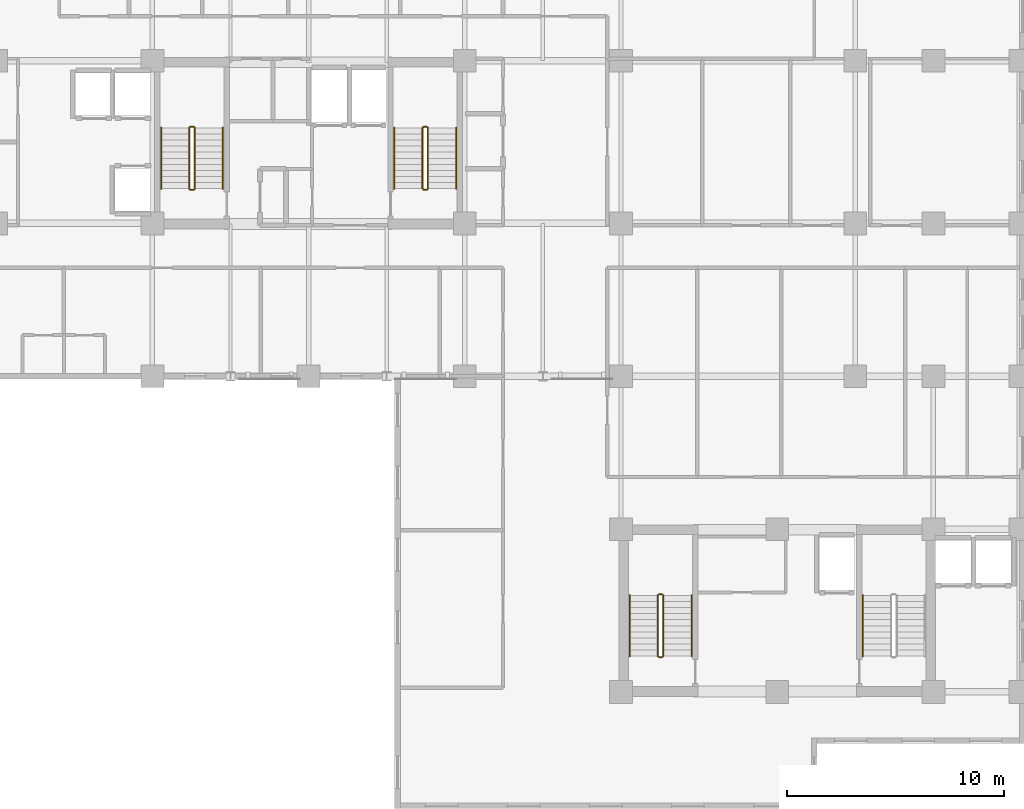
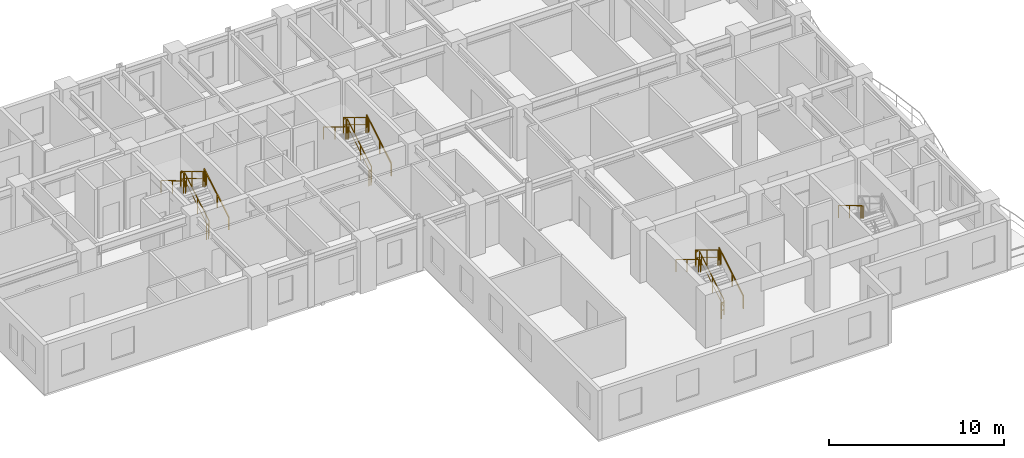
# One storey, part 11 of 13: 19 railings.
"""IFC4 building model written with IfcOpenShell, lengths in metres."""

import ifcopenshell
import ifcopenshell.guid

model = None  # the IFC model being written
_history = None  # IfcOwnerHistory: only IFC2X3 demands one
_inside = {}  # id of a spatial element -> (the spatial element, [elements in it])
_under = {}  # id of a project, library or spatial element -> (it, [spatial elements below it])
_declared = {}  # id of a project -> (the project, [libraries it declares])
_typed = {}  # id of a type object -> (the type object, [elements of that type])
_made_of = {}  # id of a material, layer set ... -> (it, [elements and type objects made of it])


def new_model(schema):
    """Start an empty IFC model of exactly this schema.

    Asked for "IFC4X3", IfcOpenShell would pick the latest addendum, in which some entities
    have other attributes; the version numbers below select the first issue.
    IFC2X3 requires an IfcOwnerHistory on every rooted entity: one is made here for all.
    """
    global model, _history
    if schema == "IFC4X3":
        model = ifcopenshell.file(schema_version=(4, 3, 0, 0))
    else:
        model = ifcopenshell.file(schema=schema)
    _inside.clear()
    _under.clear()
    _declared.clear()
    _typed.clear()
    _made_of.clear()
    _history = None
    if model.schema == "IFC2X3":
        org = make("IfcOrganization", Name="unknown")
        user = make(
            "IfcPersonAndOrganization",
            ThePerson=make("IfcPerson", FamilyName="unknown"),
            TheOrganization=org,
        )
        app = make(
            "IfcApplication",
            ApplicationDeveloper=org,
            Version="unknown",
            ApplicationFullName="unknown",
            ApplicationIdentifier="unknown",
        )
        _history = make(
            "IfcOwnerHistory",
            OwningUser=user,
            OwningApplication=app,
            ChangeAction="ADDED",
            CreationDate=0,
        )
    return model


def make(cls, **values):
    """One entity of the class cls with the attributes given. An attribute that is None is left unset."""
    return model.create_entity(
        cls, **{name: value for name, value in values.items() if value is not None}
    )


def rooted(cls, **values):
    """An entity with a GlobalId (a new one), such as an element, a storey or a relation."""
    return make(cls, GlobalId=ifcopenshell.guid.new(), OwnerHistory=_history, **values)


def si_unit(unit_type, name, prefix=None):
    """IfcSIUnit, for example si_unit("LENGTHUNIT", "METRE", prefix="MILLI")."""
    return make("IfcSIUnit", UnitType=unit_type, Prefix=prefix, Name=name)


def assignment(units):
    """IfcUnitAssignment: the units of a project."""
    return None if units is None else make("IfcUnitAssignment", Units=units)


def point(xyz):
    """IfcCartesianPoint."""
    return None if xyz is None else make("IfcCartesianPoint", Coordinates=xyz)


def direction(xyz):
    """IfcDirection."""
    return None if xyz is None else make("IfcDirection", DirectionRatios=xyz)


def frame(location, z_axis=None, x_axis=None):
    """IfcAxis2Placement3D, a coordinate frame: its origin and axes. An axis left out is left unset."""
    return make(
        "IfcAxis2Placement3D",
        Location=point(location),
        Axis=direction(z_axis),
        RefDirection=direction(x_axis),
    )


def frame_2d(location, x_axis=None):
    """IfcAxis2Placement2D, a coordinate frame in the plane: its origin and x axis."""
    return make(
        "IfcAxis2Placement2D", Location=point(location), RefDirection=direction(x_axis)
    )


def origin():
    """The frame at (0, 0, 0) with its axes left unset."""
    return frame((0.0, 0.0, 0.0))


def origin_2d():
    """The frame at (0, 0) in the plane with its x axis left unset."""
    return frame_2d((0.0, 0.0))


def place(relative_to, where):
    """IfcLocalPlacement: puts the frame where relative to a parent placement (None: the world)."""
    return make(
        "IfcLocalPlacement", PlacementRelTo=relative_to, RelativePlacement=where
    )


def context(
    kind, dimensions, precision=None, world=None, true_north=None, identifier=None
):
    """IfcGeometricRepresentationContext, for example the 3D "Model" context."""
    return make(
        "IfcGeometricRepresentationContext",
        ContextIdentifier=identifier,
        ContextType=kind,
        CoordinateSpaceDimension=dimensions,
        Precision=precision,
        WorldCoordinateSystem=world,
        TrueNorth=true_north,
    )


def subcontext(parent, identifier, kind, view, scale=None):
    """IfcGeometricRepresentationSubContext, for example "Body" below "Model"."""
    return make(
        "IfcGeometricRepresentationSubContext",
        ContextIdentifier=identifier,
        ContextType=kind,
        ParentContext=parent,
        TargetScale=scale,
        TargetView=view,
    )


def project(units=None, contexts=None):
    """IfcProject with its units and contexts."""
    return rooted(
        "IfcProject",
        Name="project",
        RepresentationContexts=contexts,
        UnitsInContext=assignment(units),
    )


def spatial(cls, under=None, at=None, **own):
    """A site, building, storey or space (cls), placed at a placement, below another one or the project."""
    s = rooted(cls, ObjectPlacement=at, **own)
    if under is not None:
        _under.setdefault(under.id(), (under, []))[1].append(s)
    return s


def profile(cls, at=None, kind="AREA", **sizes):
    """A parametric profile (cls). Its sizes go by their IFC names, for example OverallWidth=200.0."""
    return make(cls, ProfileType=kind, Position=at, **sizes)


def rectangle(**sizes):
    """IfcRectangleProfileDef."""
    return profile("IfcRectangleProfileDef", **sizes)


def extrude(swept, where, along, depth):
    """IfcExtrudedAreaSolid: the profile swept, set in the frame where, extruded along a direction by depth."""
    return make(
        "IfcExtrudedAreaSolid",
        SweptArea=swept,
        Position=where,
        ExtrudedDirection=direction(along),
        Depth=depth,
    )


def shape(context_of_items, identifier, shape_type, items):
    """IfcShapeRepresentation: the items that make up one representation, for example the "Body"."""
    return make(
        "IfcShapeRepresentation",
        ContextOfItems=context_of_items,
        RepresentationIdentifier=identifier,
        RepresentationType=shape_type,
        Items=items,
    )


def material(Name=None, Category=None):
    """IfcMaterial."""
    return make("IfcMaterial", Name=Name, Category=Category)


def made_of(thing, what):
    """Note that an element or type object is made of a material, layer set ...; save() writes the relation."""
    if what is not None:
        _made_of.setdefault(what.id(), (what, []))[1].append(thing)
    return thing


def type_object(cls, material=None, **own):
    """A type object (cls), such as IfcWallType, which elements share."""
    return made_of(rooted(cls, **own), material)


def element(
    cls,
    number,
    at=None,
    inside=None,
    cuts=None,
    type_object=None,
    material=None,
    context=None,
    identifier="Body",
    shape_type=None,
    held_by="IfcProductDefinitionShape",
    body=None,
    shapes=None,
    **own,
):
    """One element of the class cls, such as IfcWall. Its Tag is "e" and its number.

    at: its placement. inside: the storey or other place that contains it. cuts: it is an
    opening in that element (IfcRelVoidsElement). A single representation is given by context,
    identifier, shape_type and body (its items); several are given by shapes. held_by: the class
    of the entity that holds the representations. save() writes the other relations.
    """
    e = rooted(cls, Tag="e%d" % number, ObjectPlacement=at, **own)
    if body is not None:
        shapes = [shape(context, identifier, shape_type, body)]
    if shapes is not None:
        e.Representation = make(held_by, Representations=shapes)
    if inside is not None:
        _inside.setdefault(inside.id(), (inside, []))[1].append(e)
    if cuts is not None:
        rooted(
            "IfcRelVoidsElement", RelatingBuildingElement=cuts, RelatedOpeningElement=e
        )
    if type_object is not None:
        _typed.setdefault(type_object.id(), (type_object, []))[1].append(e)
    return made_of(e, material)


def aggregate(whole, parts):
    """IfcRelAggregates: a whole, such as a stair, and the parts it consists of."""
    return rooted("IfcRelAggregates", RelatingObject=whole, RelatedObjects=parts)


def save(model, path):
    """Write the relations noted so far, then the file.

    IfcRelAggregates (storeys below a building ...), IfcRelContainedInSpatialStructure (elements
    in a storey), IfcRelDefinesByType, IfcRelAssociatesMaterial and IfcRelDeclares: one each for
    every whole, place, type object, material and project.
    """
    for whole, parts in _under.values():
        aggregate(whole, parts)
    for where, things in _inside.values():
        rooted(
            "IfcRelContainedInSpatialStructure",
            RelatedElements=things,
            RelatingStructure=where,
        )
    for kind, things in _typed.values():
        rooted("IfcRelDefinesByType", RelatedObjects=things, RelatingType=kind)
    for what, things in _made_of.values():
        rooted("IfcRelAssociatesMaterial", RelatedObjects=things, RelatingMaterial=what)
    for by, libraries in _declared.values():
        rooted("IfcRelDeclares", RelatingContext=by, RelatedDefinitions=libraries)
    model.write(path)


model = new_model("IFC4")

# Units and contexts
model_context = context("Model", 3, precision=1e-05, world=origin(), true_north=direction((0.0, 1.0)))
body_context = subcontext(model_context, "Body", "Model", "MODEL_VIEW")
ifc_project = project(units=[si_unit("LENGTHUNIT", "METRE"), si_unit("AREAUNIT", "SQUARE_METRE"), si_unit("VOLUMEUNIT", "CUBIC_METRE"), si_unit("PLANEANGLEUNIT", "RADIAN"), si_unit("MASSUNIT", "GRAM", prefix="KILO")], contexts=[model_context])

# Site, building, storey
site_placement = place(None, origin())
site = spatial("IfcSite", under=ifc_project, at=site_placement, CompositionType="ELEMENT")
building_placement = place(site_placement, origin())
building = spatial("IfcBuilding", under=site, at=building_placement, Name="Kaliganga Portal Commons", CompositionType="ELEMENT")
storey_placement = place(building_placement, frame((0.0, 0.0, 166.10009765625)))
storey = spatial("IfcBuildingStorey", under=building, at=storey_placement, Name="L42", CompositionType="ELEMENT", Elevation=166.10009765625)

# Railings
ifc_material_1 = material(Name="Galvanized Painted Steel Balustrade", Category="steel")
railing_type_1 = type_object("IfcRailingType", Name="RLG-STAIR-GRD", PredefinedType="GUARDRAIL", material=ifc_material_1)
railing_1_placement = place(storey_placement, frame((16.35009765625, 30.25, 0.16796875)))
element("IfcRailing", 1, at=railing_1_placement, inside=storey, type_object=railing_type_1, Name="L42 ST-A1 stair guard 1", PredefinedType="GUARDRAIL", context=body_context, shape_type="SweptSolid", body=[
    extrude(rectangle(XDim=0.048095703125, YDim=0.048095703125, at=origin_2d()), frame((0.0, 0.0, 1.072021484375), z_axis=(0.0, 0.857242210791, 0.514913383045), x_axis=(-1.0, 0.0, 0.0)), (0.0, 0.0, 1.0), 3.266357421875),
    extrude(rectangle(XDim=0.028076171875, YDim=0.028076171875, at=origin_2d()), frame((0.0, 0.0, 0.572021484375), z_axis=(0.0, 0.857242210791, 0.514913383045), x_axis=(-1.0, 0.0, 0.0)), (0.0, 0.0, 1.0), 3.266357421875),
    extrude(rectangle(XDim=0.0419921875, YDim=0.0419921875, at=origin_2d()), origin(), (0.0, 0.0, 1.0), 1.052001953125),
    extrude(rectangle(XDim=0.0419921875, YDim=0.0419921875, at=origin_2d()), frame((0.0, 1.285888671875, 0.7724609375)), (0.0, 0.0, 1.0), 1.052001953125),
    extrude(rectangle(XDim=0.0419921875, YDim=0.0419921875, at=origin_2d()), frame((0.0, 2.57177734375, 1.544677734375)), (0.0, 0.0, 1.0), 1.052001953125),
    extrude(rectangle(XDim=0.0419921875, YDim=0.0419921875, at=origin_2d()), frame((0.0, 2.800048828125, 1.681884765625)), (0.0, 0.0, 1.0), 1.052001953125),
])
railing_2_placement = place(storey_placement, frame((16.300048828125, 33.10009765625, 1.849853515625)))
element("IfcRailing", 2, at=railing_2_placement, inside=storey, type_object=railing_type_1, Name="L42 ST-A1 stair guard 2", PredefinedType="GUARDRAIL", context=body_context, shape_type="SweptSolid", body=[
    extrude(rectangle(XDim=0.048095703125, YDim=0.048095703125, at=origin_2d()), frame((0.0, 0.0, 1.076171875), z_axis=(-1.0, 0.0, 0.0), x_axis=(0.0, -1.0, 0.0)), (0.0, 0.0, 1.0), 0.150146484375),
    extrude(rectangle(XDim=0.028076171875, YDim=0.028076171875, at=origin_2d()), frame((0.0, 0.0, 0.572021484375), z_axis=(-1.0, 0.0, 0.0), x_axis=(0.0, -1.0, 0.0)), (0.0, 0.0, 1.0), 0.150146484375),
    extrude(rectangle(XDim=0.0419921875, YDim=0.0419921875, at=origin_2d()), origin(), (0.0, 0.0, 1.0), 1.052001953125),
    extrude(rectangle(XDim=0.0419921875, YDim=0.0419921875, at=origin_2d()), frame((-0.150146484375, 0.0, 0.0)), (0.0, 0.0, 1.0), 1.052001953125),
])
railing_3_placement = place(storey_placement, frame((16.10009765625, 33.050048828125, 2.01806640625)))
element("IfcRailing", 3, at=railing_3_placement, inside=storey, type_object=railing_type_1, Name="L42 ST-A1 stair guard 3", PredefinedType="GUARDRAIL", context=body_context, shape_type="SweptSolid", body=[
    extrude(rectangle(XDim=0.048095703125, YDim=0.048095703125, at=origin_2d()), frame((0.0, 0.0, 1.072021484375), z_axis=(0.0, -0.857242210791, 0.514913383045), x_axis=(1.0, 0.0, 0.0)), (0.0, 0.0, 1.0), 3.266357421875),
    extrude(rectangle(XDim=0.028076171875, YDim=0.028076171875, at=origin_2d()), frame((0.0, 0.0, 0.572021484375), z_axis=(0.0, -0.857242210791, 0.514913383045), x_axis=(1.0, 0.0, 0.0)), (0.0, 0.0, 1.0), 3.266357421875),
    extrude(rectangle(XDim=0.0419921875, YDim=0.0419921875, at=origin_2d()), origin(), (0.0, 0.0, 1.0), 1.052001953125),
    extrude(rectangle(XDim=0.0419921875, YDim=0.0419921875, at=origin_2d()), frame((0.0, -1.285888671875, 0.7724609375)), (0.0, 0.0, 1.0), 1.052001953125),
    extrude(rectangle(XDim=0.0419921875, YDim=0.0419921875, at=origin_2d()), frame((0.0, -2.57177734375, 1.544677734375)), (0.0, 0.0, 1.0), 1.052001953125),
    extrude(rectangle(XDim=0.0419921875, YDim=0.0419921875, at=origin_2d()), frame((0.0, -2.800048828125, 1.681884765625)), (0.0, 0.0, 1.0), 1.052001953125),
])
railing_4_placement = place(storey_placement, frame((16.300048828125, 30.199951171875, 0.0)))
element("IfcRailing", 4, at=railing_4_placement, inside=storey, type_object=railing_type_1, Name="L42 ST-A1 stair guard 4", PredefinedType="GUARDRAIL", context=body_context, shape_type="SweptSolid", body=[
    extrude(rectangle(XDim=0.048095703125, YDim=0.048095703125, at=origin_2d()), frame((0.0, 0.0, 1.076171875), z_axis=(-1.0, 0.0, 0.0), x_axis=(0.0, -1.0, 0.0)), (0.0, 0.0, 1.0), 0.150146484375),
    extrude(rectangle(XDim=0.028076171875, YDim=0.028076171875, at=origin_2d()), frame((0.0, 0.0, 0.572021484375), z_axis=(-1.0, 0.0, 0.0), x_axis=(0.0, -1.0, 0.0)), (0.0, 0.0, 1.0), 0.150146484375),
    extrude(rectangle(XDim=0.0419921875, YDim=0.0419921875, at=origin_2d()), origin(), (0.0, 0.0, 1.0), 1.052001953125),
    extrude(rectangle(XDim=0.0419921875, YDim=0.0419921875, at=origin_2d()), frame((-0.150146484375, 0.0, 0.0)), (0.0, 0.0, 1.0), 1.052001953125),
])
railing_5_placement = place(storey_placement, frame((27.10009765625, 30.25, 0.16796875)))
element("IfcRailing", 5, at=railing_5_placement, inside=storey, type_object=railing_type_1, Name="L42 ST-A2 stair guard 1", PredefinedType="GUARDRAIL", context=body_context, shape_type="SweptSolid", body=[
    extrude(rectangle(XDim=0.048095703125, YDim=0.048095703125, at=origin_2d()), frame((0.0, 0.0, 1.072021484375), z_axis=(0.0, 0.857242210791, 0.514913383045), x_axis=(-1.0, 0.0, 0.0)), (0.0, 0.0, 1.0), 3.266357421875),
    extrude(rectangle(XDim=0.028076171875, YDim=0.028076171875, at=origin_2d()), frame((0.0, 0.0, 0.572021484375), z_axis=(0.0, 0.857242210791, 0.514913383045), x_axis=(-1.0, 0.0, 0.0)), (0.0, 0.0, 1.0), 3.266357421875),
    extrude(rectangle(XDim=0.0419921875, YDim=0.0419921875, at=origin_2d()), origin(), (0.0, 0.0, 1.0), 1.052001953125),
    extrude(rectangle(XDim=0.0419921875, YDim=0.0419921875, at=origin_2d()), frame((0.0, 1.285888671875, 0.7724609375)), (0.0, 0.0, 1.0), 1.052001953125),
    extrude(rectangle(XDim=0.0419921875, YDim=0.0419921875, at=origin_2d()), frame((0.0, 2.57177734375, 1.544677734375)), (0.0, 0.0, 1.0), 1.052001953125),
    extrude(rectangle(XDim=0.0419921875, YDim=0.0419921875, at=origin_2d()), frame((0.0, 2.800048828125, 1.681884765625)), (0.0, 0.0, 1.0), 1.052001953125),
])
railing_6_placement = place(storey_placement, frame((27.050048828125, 33.10009765625, 1.849853515625)))
element("IfcRailing", 6, at=railing_6_placement, inside=storey, type_object=railing_type_1, Name="L42 ST-A2 stair guard 2", PredefinedType="GUARDRAIL", context=body_context, shape_type="SweptSolid", body=[
    extrude(rectangle(XDim=0.048095703125, YDim=0.048095703125, at=origin_2d()), frame((0.0, 0.0, 1.076171875), z_axis=(-1.0, 0.0, 0.0), x_axis=(0.0, -1.0, 0.0)), (0.0, 0.0, 1.0), 0.150146484375),
    extrude(rectangle(XDim=0.028076171875, YDim=0.028076171875, at=origin_2d()), frame((0.0, 0.0, 0.572021484375), z_axis=(-1.0, 0.0, 0.0), x_axis=(0.0, -1.0, 0.0)), (0.0, 0.0, 1.0), 0.150146484375),
    extrude(rectangle(XDim=0.0419921875, YDim=0.0419921875, at=origin_2d()), origin(), (0.0, 0.0, 1.0), 1.052001953125),
    extrude(rectangle(XDim=0.0419921875, YDim=0.0419921875, at=origin_2d()), frame((-0.150146484375, 0.0, 0.0)), (0.0, 0.0, 1.0), 1.052001953125),
])
railing_7_placement = place(storey_placement, frame((26.85009765625, 33.050048828125, 2.01806640625)))
element("IfcRailing", 7, at=railing_7_placement, inside=storey, type_object=railing_type_1, Name="L42 ST-A2 stair guard 3", PredefinedType="GUARDRAIL", context=body_context, shape_type="SweptSolid", body=[
    extrude(rectangle(XDim=0.048095703125, YDim=0.048095703125, at=origin_2d()), frame((0.0, 0.0, 1.072021484375), z_axis=(0.0, -0.857242210791, 0.514913383045), x_axis=(1.0, 0.0, 0.0)), (0.0, 0.0, 1.0), 3.266357421875),
    extrude(rectangle(XDim=0.028076171875, YDim=0.028076171875, at=origin_2d()), frame((0.0, 0.0, 0.572021484375), z_axis=(0.0, -0.857242210791, 0.514913383045), x_axis=(1.0, 0.0, 0.0)), (0.0, 0.0, 1.0), 3.266357421875),
    extrude(rectangle(XDim=0.0419921875, YDim=0.0419921875, at=origin_2d()), origin(), (0.0, 0.0, 1.0), 1.052001953125),
    extrude(rectangle(XDim=0.0419921875, YDim=0.0419921875, at=origin_2d()), frame((0.0, -1.285888671875, 0.7724609375)), (0.0, 0.0, 1.0), 1.052001953125),
    extrude(rectangle(XDim=0.0419921875, YDim=0.0419921875, at=origin_2d()), frame((0.0, -2.57177734375, 1.544677734375)), (0.0, 0.0, 1.0), 1.052001953125),
    extrude(rectangle(XDim=0.0419921875, YDim=0.0419921875, at=origin_2d()), frame((0.0, -2.800048828125, 1.681884765625)), (0.0, 0.0, 1.0), 1.052001953125),
])
railing_8_placement = place(storey_placement, frame((27.050048828125, 30.199951171875, 0.0)))
element("IfcRailing", 8, at=railing_8_placement, inside=storey, type_object=railing_type_1, Name="L42 ST-A2 stair guard 4", PredefinedType="GUARDRAIL", context=body_context, shape_type="SweptSolid", body=[
    extrude(rectangle(XDim=0.048095703125, YDim=0.048095703125, at=origin_2d()), frame((0.0, 0.0, 1.076171875), z_axis=(-1.0, 0.0, 0.0), x_axis=(0.0, -1.0, 0.0)), (0.0, 0.0, 1.0), 0.150146484375),
    extrude(rectangle(XDim=0.028076171875, YDim=0.028076171875, at=origin_2d()), frame((0.0, 0.0, 0.572021484375), z_axis=(-1.0, 0.0, 0.0), x_axis=(0.0, -1.0, 0.0)), (0.0, 0.0, 1.0), 0.150146484375),
    extrude(rectangle(XDim=0.0419921875, YDim=0.0419921875, at=origin_2d()), origin(), (0.0, 0.0, 1.0), 1.052001953125),
    extrude(rectangle(XDim=0.0419921875, YDim=0.0419921875, at=origin_2d()), frame((-0.150146484375, 0.0, 0.0)), (0.0, 0.0, 1.0), 1.052001953125),
])
railing_9_placement = place(storey_placement, frame((37.949951171875, 8.699951171875, 0.16796875)))
element("IfcRailing", 9, at=railing_9_placement, inside=storey, type_object=railing_type_1, Name="L42 ST-B1 stair guard 1", PredefinedType="GUARDRAIL", context=body_context, shape_type="SweptSolid", body=[
    extrude(rectangle(XDim=0.048095703125, YDim=0.048095703125, at=origin_2d()), frame((0.0, 0.0, 1.072021484375), z_axis=(0.0, 0.857242210791, 0.514913383045), x_axis=(-1.0, 0.0, 0.0)), (0.0, 0.0, 1.0), 3.266357421875),
    extrude(rectangle(XDim=0.028076171875, YDim=0.028076171875, at=origin_2d()), frame((0.0, 0.0, 0.572021484375), z_axis=(0.0, 0.857242210791, 0.514913383045), x_axis=(-1.0, 0.0, 0.0)), (0.0, 0.0, 1.0), 3.266357421875),
    extrude(rectangle(XDim=0.0419921875, YDim=0.0419921875, at=origin_2d()), origin(), (0.0, 0.0, 1.0), 1.052001953125),
    extrude(rectangle(XDim=0.0419921875, YDim=0.0419921875, at=origin_2d()), frame((0.0, 1.285888671875, 0.7724609375)), (0.0, 0.0, 1.0), 1.052001953125),
    extrude(rectangle(XDim=0.0419921875, YDim=0.0419921875, at=origin_2d()), frame((0.0, 2.57177734375, 1.544677734375)), (0.0, 0.0, 1.0), 1.052001953125),
    extrude(rectangle(XDim=0.0419921875, YDim=0.0419921875, at=origin_2d()), frame((0.0, 2.800048828125, 1.681884765625)), (0.0, 0.0, 1.0), 1.052001953125),
])
railing_10_placement = place(storey_placement, frame((37.89990234375, 11.550048828125, 1.849853515625)))
element("IfcRailing", 10, at=railing_10_placement, inside=storey, type_object=railing_type_1, Name="L42 ST-B1 stair guard 2", PredefinedType="GUARDRAIL", context=body_context, shape_type="SweptSolid", body=[
    extrude(rectangle(XDim=0.048095703125, YDim=0.048095703125, at=origin_2d()), frame((0.0, 0.0, 1.076171875), z_axis=(-1.0, 0.0, 0.0), x_axis=(0.0, -1.0, 0.0)), (0.0, 0.0, 1.0), 0.14990234375),
    extrude(rectangle(XDim=0.028076171875, YDim=0.028076171875, at=origin_2d()), frame((0.0, 0.0, 0.572021484375), z_axis=(-1.0, 0.0, 0.0), x_axis=(0.0, -1.0, 0.0)), (0.0, 0.0, 1.0), 0.14990234375),
    extrude(rectangle(XDim=0.0419921875, YDim=0.0419921875, at=origin_2d()), frame((-0.14990234375, 0.0, 0.0)), (0.0, 0.0, 1.0), 1.052001953125),
])
railing_11_placement = place(storey_placement, frame((37.699951171875, 11.5, 2.01806640625)))
element("IfcRailing", 11, at=railing_11_placement, inside=storey, type_object=railing_type_1, Name="L42 ST-B1 stair guard 3", PredefinedType="GUARDRAIL", context=body_context, shape_type="SweptSolid", body=[
    extrude(rectangle(XDim=0.048095703125, YDim=0.048095703125, at=origin_2d()), frame((0.0, 0.0, 1.072021484375), z_axis=(0.0, -0.857242210791, 0.514913383045), x_axis=(1.0, 0.0, 0.0)), (0.0, 0.0, 1.0), 3.266357421875),
    extrude(rectangle(XDim=0.028076171875, YDim=0.028076171875, at=origin_2d()), frame((0.0, 0.0, 0.572021484375), z_axis=(0.0, -0.857242210791, 0.514913383045), x_axis=(1.0, 0.0, 0.0)), (0.0, 0.0, 1.0), 3.266357421875),
    extrude(rectangle(XDim=0.0419921875, YDim=0.0419921875, at=origin_2d()), origin(), (0.0, 0.0, 1.0), 1.052001953125),
    extrude(rectangle(XDim=0.0419921875, YDim=0.0419921875, at=origin_2d()), frame((0.0, -1.285888671875, 0.7724609375)), (0.0, 0.0, 1.0), 1.052001953125),
    extrude(rectangle(XDim=0.0419921875, YDim=0.0419921875, at=origin_2d()), frame((0.0, -2.57177734375, 1.544677734375)), (0.0, 0.0, 1.0), 1.052001953125),
    extrude(rectangle(XDim=0.0419921875, YDim=0.0419921875, at=origin_2d()), frame((0.0, -2.800048828125, 1.681884765625)), (0.0, 0.0, 1.0), 1.052001953125),
])
railing_12_placement = place(storey_placement, frame((37.89990234375, 8.64990234375, 0.0)))
element("IfcRailing", 12, at=railing_12_placement, inside=storey, type_object=railing_type_1, Name="L42 ST-B1 stair guard 4", PredefinedType="GUARDRAIL", context=body_context, shape_type="SweptSolid", body=[
    extrude(rectangle(XDim=0.048095703125, YDim=0.048095703125, at=origin_2d()), frame((0.0, 0.0, 1.076171875), z_axis=(-1.0, 0.0, 0.0), x_axis=(0.0, -1.0, 0.0)), (0.0, 0.0, 1.0), 0.14990234375),
    extrude(rectangle(XDim=0.028076171875, YDim=0.028076171875, at=origin_2d()), frame((0.0, 0.0, 0.572021484375), z_axis=(-1.0, 0.0, 0.0), x_axis=(0.0, -1.0, 0.0)), (0.0, 0.0, 1.0), 0.14990234375),
    extrude(rectangle(XDim=0.0419921875, YDim=0.0419921875, at=origin_2d()), frame((-0.14990234375, 0.0, 0.0)), (0.0, 0.0, 1.0), 1.052001953125),
])
ifc_material_2 = material(Name="Brushed Stainless Steel 316", Category="steel")
railing_type_2 = type_object("IfcRailingType", Name="RLG-STAIR-HR", PredefinedType="HANDRAIL", material=ifc_material_2)
railing_13_placement = place(storey_placement, frame((17.64990234375, 30.25, 0.16796875)))
element("IfcRailing", 13, at=railing_13_placement, inside=storey, type_object=railing_type_2, Name="L42 ST-A1 stair handrail 1", PredefinedType="HANDRAIL", context=body_context, shape_type="SweptSolid", body=[
    extrude(rectangle(XDim=0.048095703125, YDim=0.048095703125, at=origin_2d()), frame((0.0, 0.0, 0.871826171875), z_axis=(0.0, 0.857242210791, 0.514913383045), x_axis=(-1.0, 0.0, 0.0)), (0.0, 0.0, 1.0), 3.266357421875),
    extrude(rectangle(XDim=0.0419921875, YDim=0.0419921875, at=origin_2d()), origin(), (0.0, 0.0, 1.0), 0.851806640625),
    extrude(rectangle(XDim=0.0419921875, YDim=0.0419921875, at=origin_2d()), frame((0.0, 1.285888671875, 0.7724609375)), (0.0, 0.0, 1.0), 0.851806640625),
    extrude(rectangle(XDim=0.0419921875, YDim=0.0419921875, at=origin_2d()), frame((0.0, 2.57177734375, 1.544677734375)), (0.0, 0.0, 1.0), 0.851806640625),
    extrude(rectangle(XDim=0.0419921875, YDim=0.0419921875, at=origin_2d()), frame((0.0, 2.800048828125, 1.681884765625)), (0.0, 0.0, 1.0), 0.851806640625),
])
railing_14_placement = place(storey_placement, frame((14.800048828125, 33.050048828125, 2.01806640625)))
element("IfcRailing", 14, at=railing_14_placement, inside=storey, type_object=railing_type_2, Name="L42 ST-A1 stair handrail 2", PredefinedType="HANDRAIL", context=body_context, shape_type="SweptSolid", body=[
    extrude(rectangle(XDim=0.048095703125, YDim=0.048095703125, at=origin_2d()), frame((0.0, 0.0, 0.871826171875), z_axis=(0.0, -0.857242210791, 0.514913383045), x_axis=(1.0, 0.0, 0.0)), (0.0, 0.0, 1.0), 3.266357421875),
    extrude(rectangle(XDim=0.0419921875, YDim=0.0419921875, at=origin_2d()), origin(), (0.0, 0.0, 1.0), 0.851806640625),
    extrude(rectangle(XDim=0.0419921875, YDim=0.0419921875, at=origin_2d()), frame((0.0, -1.285888671875, 0.7724609375)), (0.0, 0.0, 1.0), 0.851806640625),
    extrude(rectangle(XDim=0.0419921875, YDim=0.0419921875, at=origin_2d()), frame((0.0, -2.57177734375, 1.544677734375)), (0.0, 0.0, 1.0), 0.851806640625),
    extrude(rectangle(XDim=0.0419921875, YDim=0.0419921875, at=origin_2d()), frame((0.0, -2.800048828125, 1.681884765625)), (0.0, 0.0, 1.0), 0.851806640625),
])
railing_15_placement = place(storey_placement, frame((28.39990234375, 30.25, 0.16796875)))
element("IfcRailing", 15, at=railing_15_placement, inside=storey, type_object=railing_type_2, Name="L42 ST-A2 stair handrail 1", PredefinedType="HANDRAIL", context=body_context, shape_type="SweptSolid", body=[
    extrude(rectangle(XDim=0.048095703125, YDim=0.048095703125, at=origin_2d()), frame((0.0, 0.0, 0.871826171875), z_axis=(0.0, 0.857242210791, 0.514913383045), x_axis=(-1.0, 0.0, 0.0)), (0.0, 0.0, 1.0), 3.266357421875),
    extrude(rectangle(XDim=0.0419921875, YDim=0.0419921875, at=origin_2d()), origin(), (0.0, 0.0, 1.0), 0.851806640625),
    extrude(rectangle(XDim=0.0419921875, YDim=0.0419921875, at=origin_2d()), frame((0.0, 1.285888671875, 0.7724609375)), (0.0, 0.0, 1.0), 0.851806640625),
    extrude(rectangle(XDim=0.0419921875, YDim=0.0419921875, at=origin_2d()), frame((0.0, 2.57177734375, 1.544677734375)), (0.0, 0.0, 1.0), 0.851806640625),
    extrude(rectangle(XDim=0.0419921875, YDim=0.0419921875, at=origin_2d()), frame((0.0, 2.800048828125, 1.681884765625)), (0.0, 0.0, 1.0), 0.851806640625),
])
railing_16_placement = place(storey_placement, frame((25.550048828125, 33.050048828125, 2.01806640625)))
element("IfcRailing", 16, at=railing_16_placement, inside=storey, type_object=railing_type_2, Name="L42 ST-A2 stair handrail 2", PredefinedType="HANDRAIL", context=body_context, shape_type="SweptSolid", body=[
    extrude(rectangle(XDim=0.048095703125, YDim=0.048095703125, at=origin_2d()), frame((0.0, 0.0, 0.871826171875), z_axis=(0.0, -0.857242210791, 0.514913383045), x_axis=(1.0, 0.0, 0.0)), (0.0, 0.0, 1.0), 3.266357421875),
    extrude(rectangle(XDim=0.0419921875, YDim=0.0419921875, at=origin_2d()), origin(), (0.0, 0.0, 1.0), 0.851806640625),
    extrude(rectangle(XDim=0.0419921875, YDim=0.0419921875, at=origin_2d()), frame((0.0, -1.285888671875, 0.7724609375)), (0.0, 0.0, 1.0), 0.851806640625),
    extrude(rectangle(XDim=0.0419921875, YDim=0.0419921875, at=origin_2d()), frame((0.0, -2.57177734375, 1.544677734375)), (0.0, 0.0, 1.0), 0.851806640625),
    extrude(rectangle(XDim=0.0419921875, YDim=0.0419921875, at=origin_2d()), frame((0.0, -2.800048828125, 1.681884765625)), (0.0, 0.0, 1.0), 0.851806640625),
])
railing_17_placement = place(storey_placement, frame((39.25, 8.699951171875, 0.16796875)))
element("IfcRailing", 17, at=railing_17_placement, inside=storey, type_object=railing_type_2, Name="L42 ST-B1 stair handrail 1", PredefinedType="HANDRAIL", context=body_context, shape_type="SweptSolid", body=[
    extrude(rectangle(XDim=0.048095703125, YDim=0.048095703125, at=origin_2d()), frame((0.0, 0.0, 0.871826171875), z_axis=(0.0, 0.857242210791, 0.514913383045), x_axis=(-1.0, 0.0, 0.0)), (0.0, 0.0, 1.0), 3.266357421875),
    extrude(rectangle(XDim=0.0419921875, YDim=0.0419921875, at=origin_2d()), origin(), (0.0, 0.0, 1.0), 0.851806640625),
    extrude(rectangle(XDim=0.0419921875, YDim=0.0419921875, at=origin_2d()), frame((0.0, 1.285888671875, 0.7724609375)), (0.0, 0.0, 1.0), 0.851806640625),
    extrude(rectangle(XDim=0.0419921875, YDim=0.0419921875, at=origin_2d()), frame((0.0, 2.57177734375, 1.544677734375)), (0.0, 0.0, 1.0), 0.851806640625),
    extrude(rectangle(XDim=0.0419921875, YDim=0.0419921875, at=origin_2d()), frame((0.0, 2.800048828125, 1.681884765625)), (0.0, 0.0, 1.0), 0.851806640625),
])
for number, where, name in (
    (18, (36.39990234375, 11.5, 2.01806640625), "L42 ST-B1 stair handrail 2"),
    (19, (47.14990234375, 11.5, 2.01806640625), "L42 ST-B2 stair handrail 2"),
):
    element("IfcRailing", number, at=place(storey_placement, frame(where)), inside=storey, type_object=railing_type_2, Name=name, PredefinedType="HANDRAIL", context=body_context, shape_type="SweptSolid", body=[
        extrude(rectangle(XDim=0.048095703125, YDim=0.048095703125, at=origin_2d()), frame((0.0, 0.0, 0.871826171875), z_axis=(0.0, -0.857242210791, 0.514913383045), x_axis=(1.0, 0.0, 0.0)), (0.0, 0.0, 1.0), 3.266357421875),
        extrude(rectangle(XDim=0.0419921875, YDim=0.0419921875, at=origin_2d()), origin(), (0.0, 0.0, 1.0), 0.851806640625),
        extrude(rectangle(XDim=0.0419921875, YDim=0.0419921875, at=origin_2d()), frame((0.0, -1.285888671875, 0.7724609375)), (0.0, 0.0, 1.0), 0.851806640625),
        extrude(rectangle(XDim=0.0419921875, YDim=0.0419921875, at=origin_2d()), frame((0.0, -2.57177734375, 1.544677734375)), (0.0, 0.0, 1.0), 0.851806640625),
        extrude(rectangle(XDim=0.0419921875, YDim=0.0419921875, at=origin_2d()), frame((0.0, -2.800048828125, 1.681884765625)), (0.0, 0.0, 1.0), 0.851806640625),
    ])

save(model, "model.ifc")
